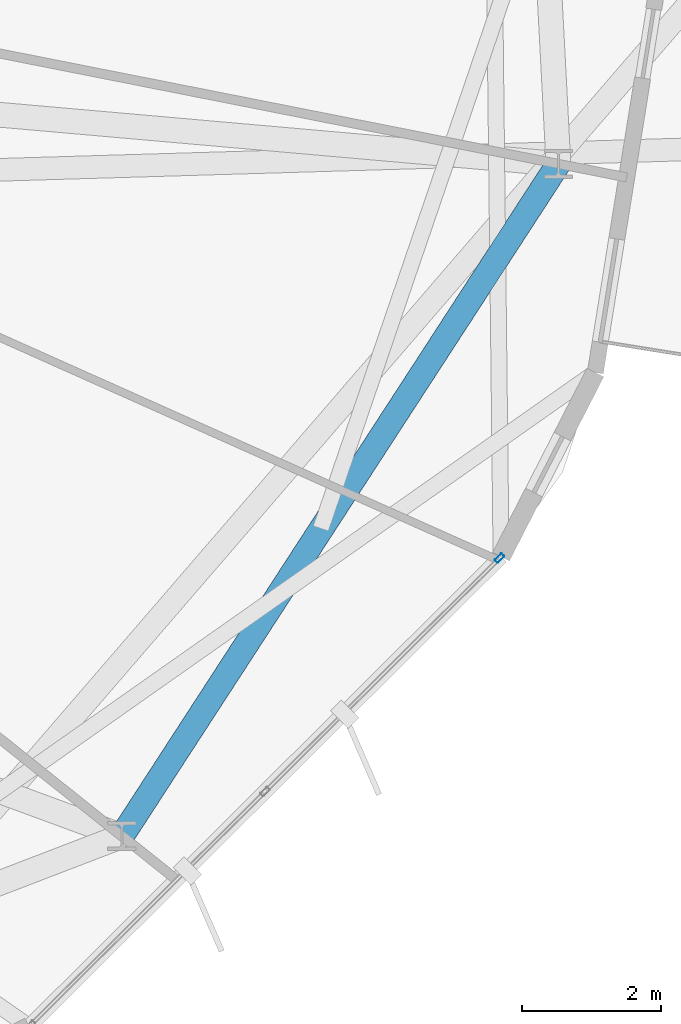
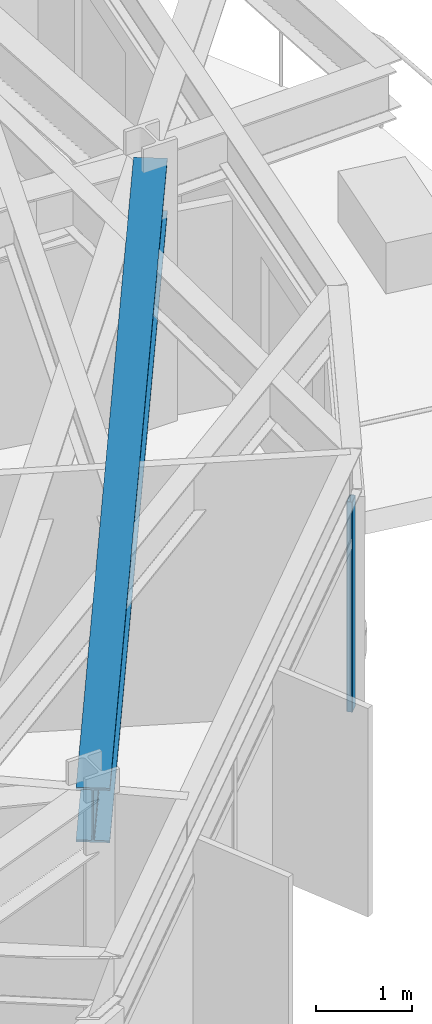
# One storey, part 10 of 27: 1 beam, 1 member, 1 element without a shape of its own.
"""IFC4 building model written with IfcOpenShell, lengths in metres."""

from ifc_helpers import new_model, si_unit, direction, frame, origin, origin_2d, place, context, subcontext, project, spatial, hollow_rectangle, i_section, extrude, material, layer, layer_set, material_profile, profile_set, type_object, element, aggregate, save


model = new_model("IFC4")

# Units and contexts
model_context = context("Model", 3, precision=1e-05, world=origin(), true_north=direction((0.0, 1.0)))
body_context = subcontext(model_context, "Body", "Model", "MODEL_VIEW")
ifc_project = project(units=[si_unit("LENGTHUNIT", "METRE"), si_unit("AREAUNIT", "SQUARE_METRE"), si_unit("VOLUMEUNIT", "CUBIC_METRE"), si_unit("PLANEANGLEUNIT", "RADIAN"), si_unit("MASSUNIT", "GRAM", prefix="KILO")], contexts=[model_context])

# Site, building, storey
site_placement = place(None, origin())
site = spatial("IfcSite", under=ifc_project, at=site_placement, CompositionType="ELEMENT")
building_placement = place(site_placement, origin())
building = spatial("IfcBuilding", under=site, at=building_placement, Name="Soratama Intermodal Tower", CompositionType="ELEMENT")
storey_placement = place(building_placement, frame((0.0, 0.0, 197.800048828125)))
storey = spatial("IfcBuildingStorey", under=building, at=storey_placement, Name="L49", CompositionType="ELEMENT", Elevation=197.800048828125)

# Beam
ifc_material_1 = material(Name="Structural steel ASTM A992 Grade 50", Category="steel")
ifc_material_profile_1 = material_profile(ifc_material_1, i_section(OverallWidth=0.35498046875, OverallDepth=0.695068359375, WebThickness=0.015380859375, FlangeThickness=0.02490234375, FilletRadius=0.01611328125, at=origin_2d()), Name="W27X146")
ifc_profile_set_1 = profile_set([ifc_material_profile_1], Name="Structural steel ASTM A992 Grade 50")
beam_type = type_object("IfcBeamType", Name="BM-RING-W27X146", PredefinedType="BEAM", material=ifc_profile_set_1)
beam_placement = place(storey_placement, frame((56.705078125, 10.544921875, 2.952392578125), z_axis=(0.544637453764, 0.83867159482, 0.0), x_axis=(-0.83867159482, 0.544637453764, 0.0)))
element("IfcBeam", 1, at=beam_placement, inside=storey, type_object=beam_type, Name="BM-L49-RING-09", PredefinedType="BEAM", context=body_context, shape_type="SweptSolid", body=[
    extrude(i_section(OverallWidth=0.35498046875, OverallDepth=0.695068359375, WebThickness=0.015380859375, FlangeThickness=0.02490234375, FilletRadius=0.01611328125, at=origin_2d()), origin(), (0.0, 0.0, 1.0), 11.49560546875),
])

# Curtain wall, member
ifc_material_2 = material(Name="Double-glazed aluminium curtain wall", Category="aluminium")
ifc_layer = layer(ifc_material_2, 0.159912109375)
ifc_layer_set = layer_set([ifc_layer], Name="Double-glazed aluminium curtain wall")
curtain_wall_type = type_object("IfcCurtainWallType", Name="CW-SYS-5", PredefinedType="NOTDEFINED", material=ifc_layer_set)
curtain_wall_placement = place(storey_placement, origin())
curtain_wall = element("IfcCurtainWall", 2, at=curtain_wall_placement, inside=storey, type_object=curtain_wall_type, Name="L49 Faceted Curtain Wall F08", PredefinedType="NOTDEFINED")
ifc_material_3 = material(Name="Anodised aluminium AA 6063-T6", Category="aluminium")
ifc_material_profile_2 = material_profile(ifc_material_3, hollow_rectangle(XDim=0.06494140625, YDim=0.139892578125, WallThickness=0.0048828125, InnerFilletRadius=0.0048828125, OuterFilletRadius=0.010009765625, at=origin_2d()), Name="CWM140X65X5")
ifc_profile_set_2 = profile_set([ifc_material_profile_2], Name="Anodised aluminium AA 6063-T6")
member_type = type_object("IfcMemberType", Name="MT-CWM-5", PredefinedType="MULLION", material=ifc_profile_set_2)
member_placement = place(storey_placement, frame((62.12255859375, 14.53173828125, 0.0), z_axis=(0.0, 0.0, 1.0), x_axis=(-0.705623904067, 0.708586555058, 0.0)))
member = element("IfcMember", 3, at=member_placement, type_object=member_type, Name="CW-5 mullion 3", PredefinedType="MULLION", context=body_context, shape_type="SweptSolid", body=[
    extrude(hollow_rectangle(XDim=0.06494140625, YDim=0.139892578125, WallThickness=0.0048828125, InnerFilletRadius=0.0048828125, OuterFilletRadius=0.010009765625, at=origin_2d()), origin(), (0.0, 0.0, 1.0), 2.678955078125),
])
aggregate(curtain_wall, [member])

save(model, "model.ifc")
